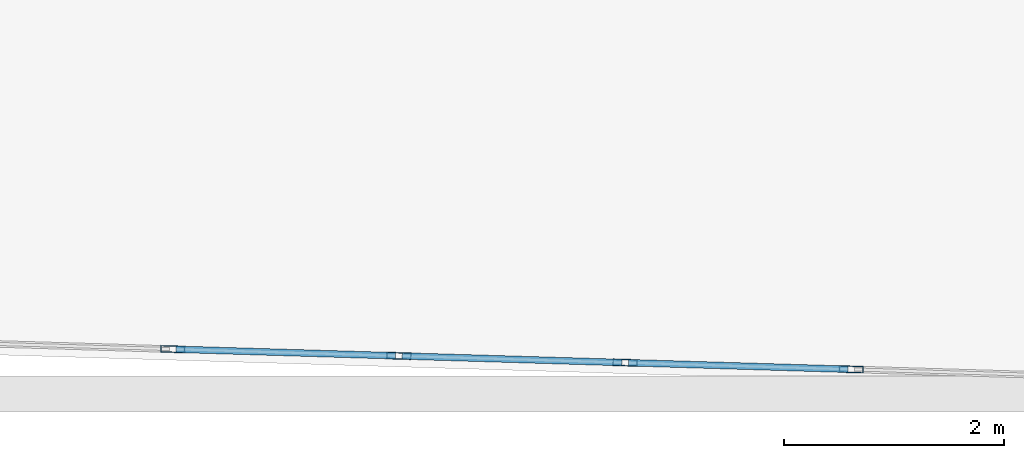
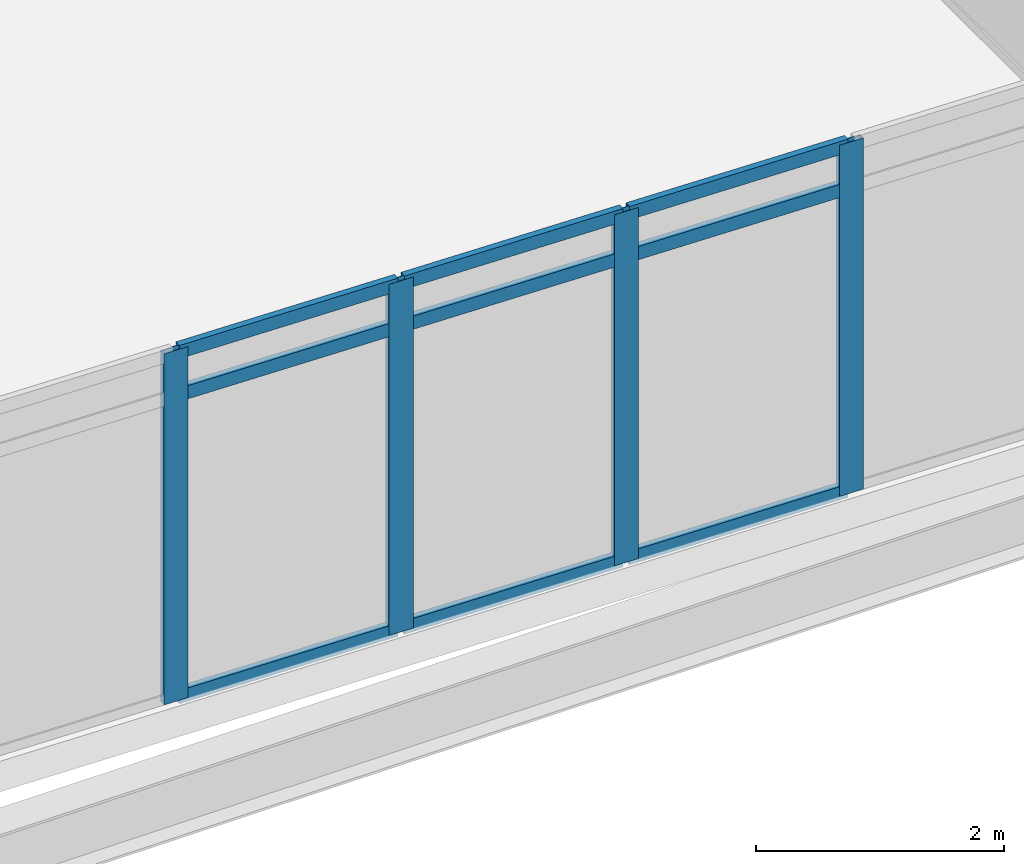
# One storey, part 7 of 28: 13 members, 1 element without a shape of its own.
"""IFC4 building model written with IfcOpenShell, lengths in metres."""

from ifc_helpers import new_model, si_unit, direction, frame, origin, origin_2d, place, context, subcontext, project, spatial, hollow_rectangle, extrude, material, material_profile, profile_set, type_object, element, aggregate, save


model = new_model("IFC4")

# Units and contexts
model_context = context("Model", 3, precision=1e-05, world=origin(), true_north=direction((0.0, 1.0)))
body_context = subcontext(model_context, "Body", "Model", "MODEL_VIEW")
ifc_project = project(units=[si_unit("LENGTHUNIT", "METRE"), si_unit("AREAUNIT", "SQUARE_METRE"), si_unit("VOLUMEUNIT", "CUBIC_METRE"), si_unit("PLANEANGLEUNIT", "RADIAN"), si_unit("MASSUNIT", "GRAM", prefix="KILO")], contexts=[model_context])

# Site, building, storey
site_placement = place(None, origin())
site = spatial("IfcSite", under=ifc_project, at=site_placement, CompositionType="ELEMENT")
building_placement = place(site_placement, origin())
building = spatial("IfcBuilding", under=site, at=building_placement, Name="Ostrander Bayou Hotel Tower", CompositionType="ELEMENT")
storey_placement = place(building_placement, frame((0.0, 0.0, 134.75)))
storey = spatial("IfcBuildingStorey", under=building, at=storey_placement, Name="L33", CompositionType="ELEMENT", Elevation=134.75)

# Curtain wall, members
ifc_material_1 = material(Name="Aluminium and clear glass", Category="aluminium")
curtain_wall_type = type_object("IfcCurtainWallType", Name="CW-BAR glazed wall", PredefinedType="NOTDEFINED", material=ifc_material_1)
curtain_wall_placement = place(storey_placement, origin())
curtain_wall = element("IfcCurtainWall", 1, at=curtain_wall_placement, inside=storey, type_object=curtain_wall_type, Name="CW-BAR L33:SB3S:T", PredefinedType="NOTDEFINED")
ifc_material_2 = material(Name="Aluminium", Category="aluminium")
ifc_material_profile_1 = material_profile(ifc_material_2, hollow_rectangle(XDim=0.06005859375, YDim=0.219970703125, WallThickness=0.00390625, at=origin_2d()))
ifc_profile_set_1 = profile_set([ifc_material_profile_1], Name="Aluminium")
member_type_1 = type_object("IfcMemberType", Name="CW-BR mullion 60 x 220 mm", PredefinedType="MULLION", material=ifc_profile_set_1)
member_1_placement = place(storey_placement, frame((3.084716796875, -31.041748046875, 0.0), z_axis=(0.0, 0.0, 1.0), x_axis=(0.029746242041, 0.999557482631, 0.0)))
member_1 = element("IfcMember", 2, at=member_1_placement, type_object=member_type_1, Name="CW-BAR mullion 9", PredefinedType="MULLION", context=body_context, shape_type="SweptSolid", body=[
    extrude(hollow_rectangle(XDim=0.06005859375, YDim=0.219970703125, WallThickness=0.00390625, at=origin_2d()), origin(), (0.0, 0.0, 1.0), 3.449951171875),
])
member_2_placement = place(storey_placement, frame((5.14111328125, -31.10302734375, 0.0), z_axis=(0.0, 0.0, 1.0), x_axis=(0.029746242041, 0.999557482631, 0.0)))
member_2 = element("IfcMember", 3, at=member_2_placement, type_object=member_type_1, Name="CW-BAR mullion 10", PredefinedType="MULLION", context=body_context, shape_type="SweptSolid", body=[
    extrude(hollow_rectangle(XDim=0.06005859375, YDim=0.219970703125, WallThickness=0.00390625, at=origin_2d()), origin(), (0.0, 0.0, 1.0), 3.449951171875),
])
member_3_placement = place(storey_placement, frame((7.19775390625, -31.164306640625, 0.0), z_axis=(0.0, 0.0, 1.0), x_axis=(0.029746242041, 0.999557482631, 0.0)))
member_3 = element("IfcMember", 4, at=member_3_placement, type_object=member_type_1, Name="CW-BAR mullion 11", PredefinedType="MULLION", context=body_context, shape_type="SweptSolid", body=[
    extrude(hollow_rectangle(XDim=0.06005859375, YDim=0.219970703125, WallThickness=0.00390625, at=origin_2d()), origin(), (0.0, 0.0, 1.0), 3.449951171875),
])
member_4_placement = place(storey_placement, frame((9.254150390625, -31.225341796875, 0.0), z_axis=(0.0, 0.0, 1.0), x_axis=(0.029746242041, 0.999557482631, 0.0)))
member_4 = element("IfcMember", 5, at=member_4_placement, type_object=member_type_1, Name="CW-BAR mullion 12", PredefinedType="MULLION", context=body_context, shape_type="SweptSolid", body=[
    extrude(hollow_rectangle(XDim=0.06005859375, YDim=0.219970703125, WallThickness=0.00390625, at=origin_2d()), origin(), (0.0, 0.0, 1.0), 3.449951171875),
])
ifc_material_3 = material(Name="Aluminium", Category="aluminium")
ifc_material_profile_2 = material_profile(ifc_material_3, hollow_rectangle(XDim=0.06005859375, YDim=0.1298828125, WallThickness=0.00390625, at=origin_2d()))
ifc_profile_set_2 = profile_set([ifc_material_profile_2], Name="Aluminium")
member_type_2 = type_object("IfcMemberType", Name="CW-BR transom 60 x 130 mm", PredefinedType="USERDEFINED", material=ifc_profile_set_2)
member_5_placement = place(storey_placement, frame((3.11474609375, -31.042724609375, 0.030029296875), z_axis=(0.999558835181, -0.029700757758, 0.0), x_axis=(0.029700757758, 0.999558835181, 0.0)))
member_5 = element("IfcMember", 6, at=member_5_placement, type_object=member_type_2, Name="CW-BAR transom 9.1", ObjectType="TRANSOM", PredefinedType="USERDEFINED", context=body_context, shape_type="SweptSolid", body=[
    extrude(hollow_rectangle(XDim=0.06005859375, YDim=0.1298828125, WallThickness=0.00390625, at=origin_2d()), origin(), (0.0, 0.0, 1.0), 1.99755859375),
])
member_6_placement = place(storey_placement, frame((3.11474609375, -31.042724609375, 3.0), z_axis=(0.999558835181, -0.029700757758, 0.0), x_axis=(0.029700757758, 0.999558835181, 0.0)))
member_6 = element("IfcMember", 7, at=member_6_placement, type_object=member_type_2, Name="CW-BAR transom 9.2", ObjectType="TRANSOM", PredefinedType="USERDEFINED", context=body_context, shape_type="SweptSolid", body=[
    extrude(hollow_rectangle(XDim=0.06005859375, YDim=0.1298828125, WallThickness=0.00390625, at=origin_2d()), origin(), (0.0, 0.0, 1.0), 1.99755859375),
])
member_7_placement = place(storey_placement, frame((3.11474609375, -31.042724609375, 3.419921875), z_axis=(0.999558835181, -0.029700757758, 0.0), x_axis=(0.029700757758, 0.999558835181, 0.0)))
member_7 = element("IfcMember", 8, at=member_7_placement, type_object=member_type_2, Name="CW-BAR transom 9.3", ObjectType="TRANSOM", PredefinedType="USERDEFINED", context=body_context, shape_type="SweptSolid", body=[
    extrude(hollow_rectangle(XDim=0.06005859375, YDim=0.1298828125, WallThickness=0.00390625, at=origin_2d()), origin(), (0.0, 0.0, 1.0), 1.99755859375),
])
member_8_placement = place(storey_placement, frame((5.171142578125, -31.10400390625, 0.030029296875), z_axis=(0.999558835181, -0.029700757758, 0.0), x_axis=(0.029700757758, 0.999558835181, 0.0)))
member_8 = element("IfcMember", 9, at=member_8_placement, type_object=member_type_2, Name="CW-BAR transom 10.1", ObjectType="TRANSOM", PredefinedType="USERDEFINED", context=body_context, shape_type="SweptSolid", body=[
    extrude(hollow_rectangle(XDim=0.06005859375, YDim=0.1298828125, WallThickness=0.00390625, at=origin_2d()), origin(), (0.0, 0.0, 1.0), 1.99755859375),
])
member_9_placement = place(storey_placement, frame((5.171142578125, -31.10400390625, 3.0), z_axis=(0.999558835181, -0.029700757758, 0.0), x_axis=(0.029700757758, 0.999558835181, 0.0)))
member_9 = element("IfcMember", 10, at=member_9_placement, type_object=member_type_2, Name="CW-BAR transom 10.2", ObjectType="TRANSOM", PredefinedType="USERDEFINED", context=body_context, shape_type="SweptSolid", body=[
    extrude(hollow_rectangle(XDim=0.06005859375, YDim=0.1298828125, WallThickness=0.00390625, at=origin_2d()), origin(), (0.0, 0.0, 1.0), 1.99755859375),
])
member_10_placement = place(storey_placement, frame((5.171142578125, -31.10400390625, 3.419921875), z_axis=(0.999558835181, -0.029700757758, 0.0), x_axis=(0.029700757758, 0.999558835181, 0.0)))
member_10 = element("IfcMember", 11, at=member_10_placement, type_object=member_type_2, Name="CW-BAR transom 10.3", ObjectType="TRANSOM", PredefinedType="USERDEFINED", context=body_context, shape_type="SweptSolid", body=[
    extrude(hollow_rectangle(XDim=0.06005859375, YDim=0.1298828125, WallThickness=0.00390625, at=origin_2d()), origin(), (0.0, 0.0, 1.0), 1.99755859375),
])
member_11_placement = place(storey_placement, frame((7.227783203125, -31.1650390625, 0.030029296875), z_axis=(0.999555090424, -0.029826518535, 0.0), x_axis=(0.029826518535, 0.999555090424, 0.0)))
member_11 = element("IfcMember", 12, at=member_11_placement, type_object=member_type_2, Name="CW-BAR transom 11.1", ObjectType="TRANSOM", PredefinedType="USERDEFINED", context=body_context, shape_type="SweptSolid", body=[
    extrude(hollow_rectangle(XDim=0.06005859375, YDim=0.1298828125, WallThickness=0.00390625, at=origin_2d()), origin(), (0.0, 0.0, 1.0), 1.997314453125),
])
member_12_placement = place(storey_placement, frame((7.227783203125, -31.1650390625, 3.0), z_axis=(0.999555090424, -0.029826518535, 0.0), x_axis=(0.029826518535, 0.999555090424, 0.0)))
member_12 = element("IfcMember", 13, at=member_12_placement, type_object=member_type_2, Name="CW-BAR transom 11.2", ObjectType="TRANSOM", PredefinedType="USERDEFINED", context=body_context, shape_type="SweptSolid", body=[
    extrude(hollow_rectangle(XDim=0.06005859375, YDim=0.1298828125, WallThickness=0.00390625, at=origin_2d()), origin(), (0.0, 0.0, 1.0), 1.997314453125),
])
member_13_placement = place(storey_placement, frame((7.227783203125, -31.1650390625, 3.419921875), z_axis=(0.999555090424, -0.029826518535, 0.0), x_axis=(0.029826518535, 0.999555090424, 0.0)))
member_13 = element("IfcMember", 14, at=member_13_placement, type_object=member_type_2, Name="CW-BAR transom 11.3", ObjectType="TRANSOM", PredefinedType="USERDEFINED", context=body_context, shape_type="SweptSolid", body=[
    extrude(hollow_rectangle(XDim=0.06005859375, YDim=0.1298828125, WallThickness=0.00390625, at=origin_2d()), origin(), (0.0, 0.0, 1.0), 1.997314453125),
])
aggregate(curtain_wall, [member_1, member_2, member_3, member_4, member_5, member_6, member_7, member_8, member_9, member_10, member_11, member_12, member_13])

save(model, "model.ifc")
